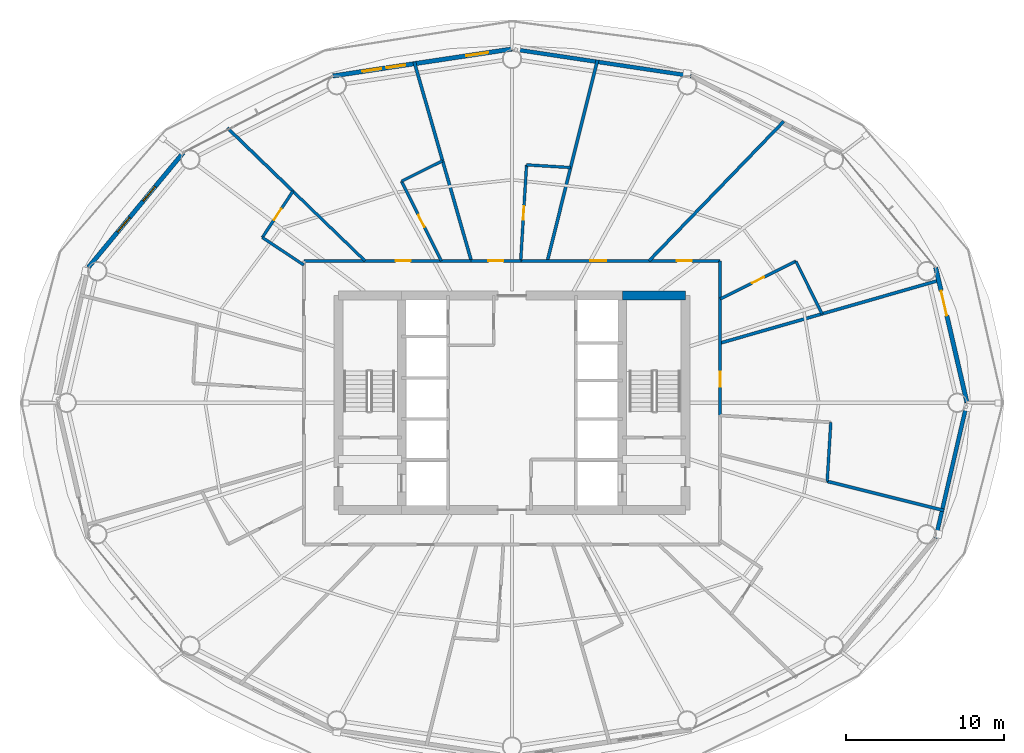
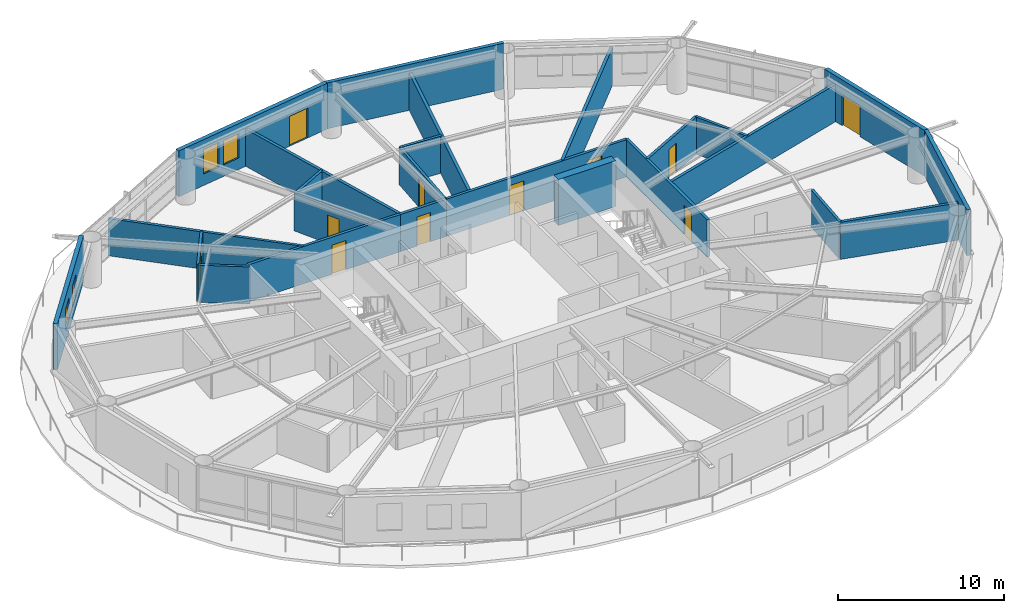
# One storey, part 20 of 24: 26 walls, 11 doors, 4 windows, 15 openings.
"""IFC4 building model written with IfcOpenShell, lengths in metres."""

import ifcopenshell
import ifcopenshell.guid

model = None  # the IFC model being written
_history = None  # IfcOwnerHistory: only IFC2X3 demands one
_inside = {}  # id of a spatial element -> (the spatial element, [elements in it])
_under = {}  # id of a project, library or spatial element -> (it, [spatial elements below it])
_declared = {}  # id of a project -> (the project, [libraries it declares])
_typed = {}  # id of a type object -> (the type object, [elements of that type])
_made_of = {}  # id of a material, layer set ... -> (it, [elements and type objects made of it])


def new_model(schema):
    """Start an empty IFC model of exactly this schema.

    Asked for "IFC4X3", IfcOpenShell would pick the latest addendum, in which some entities
    have other attributes; the version numbers below select the first issue.
    IFC2X3 requires an IfcOwnerHistory on every rooted entity: one is made here for all.
    """
    global model, _history
    if schema == "IFC4X3":
        model = ifcopenshell.file(schema_version=(4, 3, 0, 0))
    else:
        model = ifcopenshell.file(schema=schema)
    _inside.clear()
    _under.clear()
    _declared.clear()
    _typed.clear()
    _made_of.clear()
    _history = None
    if model.schema == "IFC2X3":
        org = make("IfcOrganization", Name="unknown")
        user = make(
            "IfcPersonAndOrganization",
            ThePerson=make("IfcPerson", FamilyName="unknown"),
            TheOrganization=org,
        )
        app = make(
            "IfcApplication",
            ApplicationDeveloper=org,
            Version="unknown",
            ApplicationFullName="unknown",
            ApplicationIdentifier="unknown",
        )
        _history = make(
            "IfcOwnerHistory",
            OwningUser=user,
            OwningApplication=app,
            ChangeAction="ADDED",
            CreationDate=0,
        )
    return model


def make(cls, **values):
    """One entity of the class cls with the attributes given. An attribute that is None is left unset."""
    return model.create_entity(
        cls, **{name: value for name, value in values.items() if value is not None}
    )


def rooted(cls, **values):
    """An entity with a GlobalId (a new one), such as an element, a storey or a relation."""
    return make(cls, GlobalId=ifcopenshell.guid.new(), OwnerHistory=_history, **values)


def si_unit(unit_type, name, prefix=None):
    """IfcSIUnit, for example si_unit("LENGTHUNIT", "METRE", prefix="MILLI")."""
    return make("IfcSIUnit", UnitType=unit_type, Prefix=prefix, Name=name)


def assignment(units):
    """IfcUnitAssignment: the units of a project."""
    return None if units is None else make("IfcUnitAssignment", Units=units)


def point(xyz):
    """IfcCartesianPoint."""
    return None if xyz is None else make("IfcCartesianPoint", Coordinates=xyz)


def direction(xyz):
    """IfcDirection."""
    return None if xyz is None else make("IfcDirection", DirectionRatios=xyz)


def frame(location, z_axis=None, x_axis=None):
    """IfcAxis2Placement3D, a coordinate frame: its origin and axes. An axis left out is left unset."""
    return make(
        "IfcAxis2Placement3D",
        Location=point(location),
        Axis=direction(z_axis),
        RefDirection=direction(x_axis),
    )


def frame_2d(location, x_axis=None):
    """IfcAxis2Placement2D, a coordinate frame in the plane: its origin and x axis."""
    return make(
        "IfcAxis2Placement2D", Location=point(location), RefDirection=direction(x_axis)
    )


def origin():
    """The frame at (0, 0, 0) with its axes left unset."""
    return frame((0.0, 0.0, 0.0))


def place(relative_to, where):
    """IfcLocalPlacement: puts the frame where relative to a parent placement (None: the world)."""
    return make(
        "IfcLocalPlacement", PlacementRelTo=relative_to, RelativePlacement=where
    )


def context(
    kind, dimensions, precision=None, world=None, true_north=None, identifier=None
):
    """IfcGeometricRepresentationContext, for example the 3D "Model" context."""
    return make(
        "IfcGeometricRepresentationContext",
        ContextIdentifier=identifier,
        ContextType=kind,
        CoordinateSpaceDimension=dimensions,
        Precision=precision,
        WorldCoordinateSystem=world,
        TrueNorth=true_north,
    )


def subcontext(parent, identifier, kind, view, scale=None):
    """IfcGeometricRepresentationSubContext, for example "Body" below "Model"."""
    return make(
        "IfcGeometricRepresentationSubContext",
        ContextIdentifier=identifier,
        ContextType=kind,
        ParentContext=parent,
        TargetScale=scale,
        TargetView=view,
    )


def project(units=None, contexts=None):
    """IfcProject with its units and contexts."""
    return rooted(
        "IfcProject",
        Name="project",
        RepresentationContexts=contexts,
        UnitsInContext=assignment(units),
    )


def spatial(cls, under=None, at=None, **own):
    """A site, building, storey or space (cls), placed at a placement, below another one or the project."""
    s = rooted(cls, ObjectPlacement=at, **own)
    if under is not None:
        _under.setdefault(under.id(), (under, []))[1].append(s)
    return s


def profile(cls, at=None, kind="AREA", **sizes):
    """A parametric profile (cls). Its sizes go by their IFC names, for example OverallWidth=200.0."""
    return make(cls, ProfileType=kind, Position=at, **sizes)


def rectangle(**sizes):
    """IfcRectangleProfileDef."""
    return profile("IfcRectangleProfileDef", **sizes)


def extrude(swept, where, along, depth):
    """IfcExtrudedAreaSolid: the profile swept, set in the frame where, extruded along a direction by depth."""
    return make(
        "IfcExtrudedAreaSolid",
        SweptArea=swept,
        Position=where,
        ExtrudedDirection=direction(along),
        Depth=depth,
    )


def shape(context_of_items, identifier, shape_type, items):
    """IfcShapeRepresentation: the items that make up one representation, for example the "Body"."""
    return make(
        "IfcShapeRepresentation",
        ContextOfItems=context_of_items,
        RepresentationIdentifier=identifier,
        RepresentationType=shape_type,
        Items=items,
    )


def material(Name=None, Category=None):
    """IfcMaterial."""
    return make("IfcMaterial", Name=Name, Category=Category)


def layer(
    of_material, thickness, ventilated=None, Name=None, Category=None, Priority=None
):
    """IfcMaterialLayer: one layer of a wall or slab, of a material (None: an air gap)."""
    return make(
        "IfcMaterialLayer",
        Material=of_material,
        LayerThickness=thickness,
        IsVentilated=ventilated,
        Name=Name,
        Category=Category,
        Priority=Priority,
    )


def layer_set(layers, Name=None):
    """IfcMaterialLayerSet."""
    return make("IfcMaterialLayerSet", MaterialLayers=layers, LayerSetName=Name)


def made_of(thing, what):
    """Note that an element or type object is made of a material, layer set ...; save() writes the relation."""
    if what is not None:
        _made_of.setdefault(what.id(), (what, []))[1].append(thing)
    return thing


def type_object(cls, material=None, **own):
    """A type object (cls), such as IfcWallType, which elements share."""
    return made_of(rooted(cls, **own), material)


def element(
    cls,
    number,
    at=None,
    inside=None,
    cuts=None,
    type_object=None,
    material=None,
    context=None,
    identifier="Body",
    shape_type=None,
    held_by="IfcProductDefinitionShape",
    body=None,
    shapes=None,
    **own,
):
    """One element of the class cls, such as IfcWall. Its Tag is "e" and its number.

    at: its placement. inside: the storey or other place that contains it. cuts: it is an
    opening in that element (IfcRelVoidsElement). A single representation is given by context,
    identifier, shape_type and body (its items); several are given by shapes. held_by: the class
    of the entity that holds the representations. save() writes the other relations.
    """
    e = rooted(cls, Tag="e%d" % number, ObjectPlacement=at, **own)
    if body is not None:
        shapes = [shape(context, identifier, shape_type, body)]
    if shapes is not None:
        e.Representation = make(held_by, Representations=shapes)
    if inside is not None:
        _inside.setdefault(inside.id(), (inside, []))[1].append(e)
    if cuts is not None:
        rooted(
            "IfcRelVoidsElement", RelatingBuildingElement=cuts, RelatedOpeningElement=e
        )
    if type_object is not None:
        _typed.setdefault(type_object.id(), (type_object, []))[1].append(e)
    return made_of(e, material)


def fill(opening, filler):
    """IfcRelFillsElement: the door or window that sits in an opening."""
    return rooted(
        "IfcRelFillsElement",
        RelatingOpeningElement=opening,
        RelatedBuildingElement=filler,
    )


def aggregate(whole, parts):
    """IfcRelAggregates: a whole, such as a stair, and the parts it consists of."""
    return rooted("IfcRelAggregates", RelatingObject=whole, RelatedObjects=parts)


def save(model, path):
    """Write the relations noted so far, then the file.

    IfcRelAggregates (storeys below a building ...), IfcRelContainedInSpatialStructure (elements
    in a storey), IfcRelDefinesByType, IfcRelAssociatesMaterial and IfcRelDeclares: one each for
    every whole, place, type object, material and project.
    """
    for whole, parts in _under.values():
        aggregate(whole, parts)
    for where, things in _inside.values():
        rooted(
            "IfcRelContainedInSpatialStructure",
            RelatedElements=things,
            RelatingStructure=where,
        )
    for kind, things in _typed.values():
        rooted("IfcRelDefinesByType", RelatedObjects=things, RelatingType=kind)
    for what, things in _made_of.values():
        rooted("IfcRelAssociatesMaterial", RelatedObjects=things, RelatingMaterial=what)
    for by, libraries in _declared.values():
        rooted("IfcRelDeclares", RelatingContext=by, RelatedDefinitions=libraries)
    model.write(path)


model = new_model("IFC4")

# Units and contexts
model_context = context("Model", 3, precision=1e-05, world=origin(), true_north=direction((0.0, 1.0)))
body_context = subcontext(model_context, "Body", "Model", "MODEL_VIEW")
ifc_project = project(units=[si_unit("LENGTHUNIT", "METRE"), si_unit("AREAUNIT", "SQUARE_METRE"), si_unit("VOLUMEUNIT", "CUBIC_METRE"), si_unit("PLANEANGLEUNIT", "RADIAN"), si_unit("MASSUNIT", "GRAM", prefix="KILO")], contexts=[model_context])

# Site, building, storey
site_placement = place(None, origin())
site = spatial("IfcSite", under=ifc_project, at=site_placement, CompositionType="ELEMENT")
building_placement = place(site_placement, origin())
building = spatial("IfcBuilding", under=site, at=building_placement, Name="Sarneth Arch Tower", CompositionType="ELEMENT")
storey_placement = place(building_placement, frame((0.0, 0.0, 98.39990234375)))
storey = spatial("IfcBuildingStorey", under=building, at=storey_placement, Name="L24", CompositionType="ELEMENT", Elevation=98.39990234375)

# Wall
ifc_material_1 = material(Name="Concrete C60/75", Category="concrete")
ifc_layer_1 = layer(ifc_material_1, 0.550048828125)
ifc_layer_set_1 = layer_set([ifc_layer_1], Name="Concrete C60/75")
wall_type_1 = type_object("IfcWallType", Name="WALL-CORE-550", PredefinedType="SHEAR", material=ifc_layer_set_1)
wall_1_placement = place(storey_placement, frame((55.0, 48.800048828125, 0.0), z_axis=(0.0, 0.0, 1.0), x_axis=(1.0, 0.0, 0.0)))
element("IfcWall", 1, at=wall_1_placement, inside=storey, type_object=wall_type_1, Name="L24 Core shear wall N-E", PredefinedType="SHEAR", context=body_context, shape_type="SweptSolid", body=[
    extrude(rectangle(XDim=4.0, YDim=0.550048828125, at=frame_2d((2.0, 0.0))), origin(), (0.0, 0.0, 1.0), 3.380126953125),
])

# Wall, openings, doors
ifc_material_2 = material(Name="Double steel-stud corridor fire wall", Category="steel")
ifc_layer_2 = layer(ifc_material_2, 0.18994140625)
ifc_layer_set_2 = layer_set([ifc_layer_2], Name="Double steel-stud corridor fire wall")
wall_type_2 = type_object("IfcWallType", Name="WALL-CORR-190", PredefinedType="PARTITIONING", material=ifc_layer_set_2)
wall_2_placement = place(storey_placement, frame((48.518310546875, 51.0, 0.0), z_axis=(0.0, 0.0, 1.0), x_axis=(1.0, 0.0, 0.0)))
wall_2 = element("IfcWall", 2, at=wall_2_placement, inside=storey, type_object=wall_type_2, Name="L24 Interior partition W-L24-TP-004", PredefinedType="PARTITIONING", context=body_context, shape_type="SweptSolid", body=[
    extrude(rectangle(XDim=12.681640625, YDim=0.18994140625, at=frame_2d((6.3408203125, 0.0))), origin(), (0.0, 0.0, 1.0), 2.739990234375),
])
opening_1_placement = place(wall_2_placement, frame((4.455078125, 0.0, 0.0)))
opening_1 = element("IfcOpeningElement", 3, at=opening_1_placement, cuts=wall_2, Name="Opening FD-08", PredefinedType="OPENING", context=body_context, shape_type="SweptSolid", body=[
    extrude(rectangle(XDim=1.0, YDim=2.199951171875, at=frame_2d((0.5, 1.10009765625))), frame((0.0, 0.10498046875, 0.0), z_axis=(0.0, -1.0, 0.0), x_axis=(1.0, 0.0, 0.0)), (0.0, 0.0, 1.0), 0.2099609375),
])
opening_2_placement = place(wall_2_placement, frame((9.929931640625, 0.0, 0.0)))
opening_2 = element("IfcOpeningElement", 4, at=opening_2_placement, cuts=wall_2, Name="Opening FD-09", PredefinedType="OPENING", context=body_context, shape_type="SweptSolid", body=[
    extrude(rectangle(XDim=0.949951171875, YDim=2.14990234375, at=frame_2d((0.47509765625, 1.074951171875))), frame((0.0, 0.10498046875, 0.0), z_axis=(0.0, -1.0, 0.0), x_axis=(1.0, 0.0, 0.0)), (0.0, 0.0, 1.0), 0.2099609375),
])
ifc_material_3 = material(Name="Hardwood timber acoustic fire door", Category="wood")
door_type_1 = type_object("IfcDoorType", Name="DR-FD60-1000", OperationType="SINGLE_SWING_LEFT", PredefinedType="DOOR", material=ifc_material_3)
door_1_placement = place(opening_1_placement, origin())
door_1 = element("IfcDoor", 5, at=door_1_placement, inside=storey, type_object=door_type_1, Name="L24 Interior door DR-L24-AMN-02", OperationType="SINGLE_SWING_RIGHT", OverallHeight=2.199951171875, OverallWidth=1.0, PredefinedType="DOOR", context=body_context, shape_type="SweptSolid", body=[
    extrude(rectangle(XDim=1.0, YDim=2.199951171875, at=frame_2d((0.5, 1.10009765625))), frame((0.0, 0.02490234375, 0.0), z_axis=(0.0, -1.0, 0.0), x_axis=(1.0, 0.0, 0.0)), (0.0, 0.0, 1.0), 0.050048828125),
])
fill(opening_1, door_1)
ifc_material_4 = material(Name="Hardwood timber hotel entrance fire door", Category="wood")
door_type_2 = type_object("IfcDoorType", Name="DR-FD60-950", OperationType="SINGLE_SWING_RIGHT", PredefinedType="DOOR", material=ifc_material_4)
door_2_placement = place(opening_2_placement, origin())
door_2 = element("IfcDoor", 6, at=door_2_placement, inside=storey, type_object=door_type_2, Name="L24 Interior door DR-L24-KEY-01", OperationType="SINGLE_SWING_LEFT", OverallHeight=2.14990234375, OverallWidth=0.949951171875, PredefinedType="DOOR", context=body_context, shape_type="SweptSolid", body=[
    extrude(rectangle(XDim=0.949951171875, YDim=2.14990234375, at=frame_2d((0.47509765625, 1.074951171875))), frame((0.0, 0.02490234375, 0.0), z_axis=(0.0, -1.0, 0.0), x_axis=(1.0, 0.0, 0.0)), (0.0, 0.0, 1.0), 0.050048828125),
])
fill(opening_2, door_2)

# Wall, opening, door
wall_3_placement = place(storey_placement, frame((34.800048828125, 51.0, 0.0), z_axis=(0.0, 0.0, 1.0), x_axis=(1.0, 0.0, 0.0)))
wall_3 = element("IfcWall", 7, at=wall_3_placement, inside=storey, type_object=wall_type_2, Name="L24 Interior partition W-L24-TP-007", PredefinedType="PARTITIONING", context=body_context, shape_type="SweptSolid", body=[
    extrude(rectangle(XDim=10.652587890625, YDim=0.18994140625, at=frame_2d((5.326171875, 0.0))), origin(), (0.0, 0.0, 1.0), 2.739990234375),
])
opening_3_placement = place(wall_3_placement, frame((5.81640625, 0.0, 0.0)))
opening_3 = element("IfcOpeningElement", 8, at=opening_3_placement, cuts=wall_3, Name="Opening FD-09", PredefinedType="OPENING", context=body_context, shape_type="SweptSolid", body=[
    extrude(rectangle(XDim=0.949951171875, YDim=2.14990234375, at=frame_2d((0.47509765625, 1.074951171875))), frame((0.0, 0.10498046875, 0.0), z_axis=(0.0, -1.0, 0.0), x_axis=(1.0, 0.0, 0.0)), (0.0, 0.0, 1.0), 0.2099609375),
])
door_3_placement = place(opening_3_placement, origin())
door_3 = element("IfcDoor", 9, at=door_3_placement, inside=storey, type_object=door_type_2, Name="L24 Interior door DR-L24-KEY-04", OperationType="SINGLE_SWING_LEFT", OverallHeight=2.14990234375, OverallWidth=0.949951171875, PredefinedType="DOOR", context=body_context, shape_type="SweptSolid", body=[
    extrude(rectangle(XDim=0.949951171875, YDim=2.14990234375, at=frame_2d((0.47509765625, 1.074951171875))), frame((0.0, 0.02490234375, 0.0), z_axis=(0.0, -1.0, 0.0), x_axis=(1.0, 0.0, 0.0)), (0.0, 0.0, 1.0), 0.050048828125),
])
fill(opening_3, door_3)

wall_4_placement = place(storey_placement, frame((61.199951171875, 51.0, 0.0), z_axis=(0.0, 0.0, 1.0), x_axis=(0.0, -1.0, 0.0)))
wall_4 = element("IfcWall", 10, at=wall_4_placement, inside=storey, type_object=wall_type_2, Name="L24 Interior partition W-L24-TP-025", PredefinedType="PARTITIONING", context=body_context, shape_type="SweptSolid", body=[
    extrude(rectangle(XDim=9.83935546875, YDim=0.18994140625, at=frame_2d((4.919677734375, 0.0))), origin(), (0.0, 0.0, 1.0), 2.739990234375),
])
opening_4_placement = place(wall_4_placement, frame((7.035400390625, 0.0, 0.0)))
opening_4 = element("IfcOpeningElement", 11, at=opening_4_placement, cuts=wall_4, Name="Opening FD-09", PredefinedType="OPENING", context=body_context, shape_type="SweptSolid", body=[
    extrude(rectangle(XDim=0.949951171875, YDim=2.14990234375, at=frame_2d((0.47509765625, 1.074951171875))), frame((0.0, 0.10498046875, 0.0), z_axis=(0.0, -1.0, 0.0), x_axis=(1.0, 0.0, 0.0)), (0.0, 0.0, 1.0), 0.2099609375),
])
door_4_placement = place(opening_4_placement, origin())
door_4 = element("IfcDoor", 12, at=door_4_placement, inside=storey, type_object=door_type_2, Name="L24 Interior door DR-L24-KEY-12", OperationType="SINGLE_SWING_LEFT", OverallHeight=2.14990234375, OverallWidth=0.949951171875, PredefinedType="DOOR", context=body_context, shape_type="SweptSolid", body=[
    extrude(rectangle(XDim=0.949951171875, YDim=2.14990234375, at=frame_2d((0.47509765625, 1.074951171875))), frame((0.0, 0.02490234375, 0.0), z_axis=(0.0, -1.0, 0.0), x_axis=(1.0, 0.0, 0.0)), (0.0, 0.0, 1.0), 0.050048828125),
])
fill(opening_4, door_4)

wall_5_placement = place(storey_placement, frame((45.385986328125, 51.0, 0.0), z_axis=(0.0, 0.0, 1.0), x_axis=(1.0, 0.0, 0.0)))
wall_5 = element("IfcWall", 13, at=wall_5_placement, inside=storey, type_object=wall_type_2, Name="L24 Interior partition W-L24-TP-005", PredefinedType="PARTITIONING", context=body_context, shape_type="SweptSolid", body=[
    extrude(rectangle(XDim=3.196533203125, YDim=0.18994140625, at=frame_2d((1.59814453125, 0.0))), origin(), (0.0, 0.0, 1.0), 2.739990234375),
])
opening_5_placement = place(wall_5_placement, frame((1.123291015625, 0.0, 0.0)))
opening_5 = element("IfcOpeningElement", 14, at=opening_5_placement, cuts=wall_5, Name="Opening FD-09", PredefinedType="OPENING", context=body_context, shape_type="SweptSolid", body=[
    extrude(rectangle(XDim=0.949951171875, YDim=2.14990234375, at=frame_2d((0.47509765625, 1.074951171875))), frame((0.0, 0.10498046875, 0.0), z_axis=(0.0, -1.0, 0.0), x_axis=(1.0, 0.0, 0.0)), (0.0, 0.0, 1.0), 0.2099609375),
])
door_5_placement = place(opening_5_placement, origin())
door_5 = element("IfcDoor", 15, at=door_5_placement, inside=storey, type_object=door_type_2, Name="L24 Interior door DR-L24-KEY-03", OperationType="SINGLE_SWING_LEFT", OverallHeight=2.14990234375, OverallWidth=0.949951171875, PredefinedType="DOOR", context=body_context, shape_type="SweptSolid", body=[
    extrude(rectangle(XDim=0.949951171875, YDim=2.14990234375, at=frame_2d((0.47509765625, 1.074951171875))), frame((0.0, 0.02490234375, 0.0), z_axis=(0.0, -1.0, 0.0), x_axis=(1.0, 0.0, 0.0)), (0.0, 0.0, 1.0), 0.050048828125),
])
fill(opening_5, door_5)

# Walls
ifc_material_5 = material(Name="Extruded terracotta rainscreen on Concrete C40/50 backing", Category="masonry")
ifc_layer_3 = layer(ifc_material_5, 0.25)
ifc_layer_set_3 = layer_set([ifc_layer_3], Name="Extruded terracotta rainscreen on Concrete C40/50 backing")
wall_type_3 = type_object("IfcWallType", Name="WALL-EXT-SPAND-250", PredefinedType="SOLIDWALL", material=ifc_layer_set_3)
wall_6_placement = place(storey_placement, frame((59.351318359375, 62.72265625, 0.0), z_axis=(0.0, 0.0, 1.0), x_axis=(-0.988877774656, 0.148730450117, 0.0)))
element("IfcWall", 16, at=wall_6_placement, inside=storey, type_object=wall_type_3, Name="L24 Terracotta perimeter wall 04", PredefinedType="SOLIDWALL", context=body_context, shape_type="SweptSolid", body=[
    extrude(rectangle(XDim=11.47900390625, YDim=0.25, at=frame_2d((5.739501953125, 0.0))), origin(), (0.0, 0.0, 1.0), 3.380126953125),
])
wall_7_placement = place(storey_placement, frame((74.861328125, 33.41650390625, 0.0), z_axis=(0.0, 0.0, 1.0), x_axis=(0.22558597182, 0.974223264616, 0.0)))
element("IfcWall", 17, at=wall_7_placement, inside=storey, type_object=wall_type_3, Name="L24 Terracotta perimeter wall 16", PredefinedType="SOLIDWALL", context=body_context, shape_type="SweptSolid", body=[
    extrude(rectangle(XDim=8.810546875, YDim=0.25, at=frame_2d((4.4052734375, 0.0))), origin(), (0.0, 0.0, 1.0), 3.380126953125),
])

# Wall, opening, door
ifc_material_6 = material(Name="Extruded terracotta rainscreen on Concrete C40/50 backing", Category="masonry")
ifc_layer_4 = layer(ifc_material_6, 0.280029296875)
ifc_layer_set_4 = layer_set([ifc_layer_4], Name="Extruded terracotta rainscreen on Concrete C40/50 backing")
wall_type_4 = type_object("IfcWallType", Name="WALL-EXT-TERRA-280", PredefinedType="SOLIDWALL", material=ifc_layer_set_4)
wall_8_placement = place(storey_placement, frame((76.848876953125, 42.0, 0.0), z_axis=(0.0, 0.0, 1.0), x_axis=(-0.22558597182, 0.974223264616, 0.0)))
wall_8 = element("IfcWall", 18, at=wall_8_placement, inside=storey, type_object=wall_type_4, Name="L24 Terracotta perimeter wall 01", PredefinedType="SOLIDWALL", context=body_context, shape_type="SweptSolid", body=[
    extrude(rectangle(XDim=8.810546875, YDim=0.280029296875, at=frame_2d((4.4052734375, 0.0))), origin(), (0.0, 0.0, 1.0), 3.380126953125),
])
opening_6_placement = place(wall_8_placement, frame((5.674560546875, 0.0, 0.0)))
opening_6 = element("IfcOpeningElement", 19, at=opening_6_placement, cuts=wall_8, Name="Opening BD-1", PredefinedType="OPENING", context=body_context, shape_type="SweptSolid", body=[
    extrude(rectangle(XDim=1.60009765625, YDim=2.25, at=frame_2d((0.800048828125, 1.125))), frame((0.0, 0.14990234375, 0.0), z_axis=(0.0, -1.0, 0.0), x_axis=(1.0, 0.0, 0.0)), (0.0, 0.0, 1.0), 0.300048828125),
])
ifc_material_7 = material(Name="Thermally broken Aluminium 6063-T6 and laminated safety glass", Category="aluminium")
door_type_3 = type_object("IfcDoorType", Name="DR-BALC-GLZ-1600", OperationType="DOUBLE_DOOR_SINGLE_SWING", PredefinedType="DOOR", material=ifc_material_7)
door_6_placement = place(opening_6_placement, origin())
door_6 = element("IfcDoor", 20, at=door_6_placement, inside=storey, type_object=door_type_3, Name="L24 Balcony glazed door 01", OperationType="DOUBLE_DOOR_SINGLE_SWING", OverallHeight=2.25, OverallWidth=1.60009765625, PredefinedType="DOOR", context=body_context, shape_type="SweptSolid", body=[
    extrude(rectangle(XDim=1.60009765625, YDim=2.25, at=frame_2d((0.800048828125, 1.125))), frame((0.0, 0.02490234375, 0.0), z_axis=(0.0, -1.0, 0.0), x_axis=(1.0, 0.0, 0.0)), (0.0, 0.0, 1.0), 0.050048828125),
])
fill(opening_6, door_6)

# Wall, openings, door, windows
wall_9_placement = place(storey_placement, frame((48.0, 64.429931640625, 0.0), z_axis=(0.0, 0.0, 1.0), x_axis=(-0.988877774656, -0.148730450117, 0.0)))
wall_9 = element("IfcWall", 21, at=wall_9_placement, inside=storey, type_object=wall_type_4, Name="L24 Terracotta perimeter wall 05", PredefinedType="SOLIDWALL", context=body_context, shape_type="SweptSolid", body=[
    extrude(rectangle(XDim=11.47900390625, YDim=0.280029296875, at=frame_2d((5.739501953125, 0.0))), origin(), (0.0, 0.0, 1.0), 3.380126953125),
])
opening_7_placement = place(wall_9_placement, frame((1.523681640625, 0.0, 0.0)))
opening_7 = element("IfcOpeningElement", 22, at=opening_7_placement, cuts=wall_9, Name="Opening BD-2", PredefinedType="OPENING", context=body_context, shape_type="SweptSolid", body=[
    extrude(rectangle(XDim=1.39990234375, YDim=2.199951171875, at=frame_2d((0.699951171875, 1.10009765625))), frame((0.0, 0.14990234375, 0.0), z_axis=(0.0, -1.0, 0.0), x_axis=(1.0, 0.0, 0.0)), (0.0, 0.0, 1.0), 0.300048828125),
])
opening_8_placement = place(wall_9_placement, frame((6.843017578125, 0.0, 0.85009765625)))
opening_8 = element("IfcOpeningElement", 23, at=opening_8_placement, cuts=wall_9, Name="Opening W-09", PredefinedType="OPENING", context=body_context, shape_type="SweptSolid", body=[
    extrude(rectangle(XDim=1.199951171875, YDim=1.800048828125, at=frame_2d((0.60009765625, 0.89990234375))), frame((0.0, 0.14990234375, 0.0), z_axis=(0.0, -1.0, 0.0), x_axis=(1.0, 0.0, 0.0)), (0.0, 0.0, 1.0), 0.300048828125),
])
opening_9_placement = place(wall_9_placement, frame((8.385009765625, 0.0, 0.85009765625)))
opening_9 = element("IfcOpeningElement", 24, at=opening_9_placement, cuts=wall_9, Name="Opening W-09", PredefinedType="OPENING", context=body_context, shape_type="SweptSolid", body=[
    extrude(rectangle(XDim=1.199951171875, YDim=1.800048828125, at=frame_2d((0.60009765625, 0.89990234375))), frame((0.0, 0.14990234375, 0.0), z_axis=(0.0, -1.0, 0.0), x_axis=(1.0, 0.0, 0.0)), (0.0, 0.0, 1.0), 0.300048828125),
])
ifc_material_8 = material(Name="Thermally broken Aluminium 6063-T6 and laminated safety glass", Category="aluminium")
door_type_4 = type_object("IfcDoorType", Name="DR-BALC-GLZ-1400", OperationType="SINGLE_SWING_LEFT", PredefinedType="DOOR", material=ifc_material_8)
door_7_placement = place(opening_7_placement, origin())
door_7 = element("IfcDoor", 25, at=door_7_placement, inside=storey, type_object=door_type_4, Name="L24 Balcony glazed door 05", OperationType="SINGLE_SWING_LEFT", OverallHeight=2.199951171875, OverallWidth=1.39990234375, PredefinedType="DOOR", context=body_context, shape_type="SweptSolid", body=[
    extrude(rectangle(XDim=1.39990234375, YDim=2.199951171875, at=frame_2d((0.699951171875, 1.10009765625))), frame((0.0, 0.02490234375, 0.0), z_axis=(0.0, -1.0, 0.0), x_axis=(1.0, 0.0, 0.0)), (0.0, 0.0, 1.0), 0.050048828125),
])
fill(opening_7, door_7)
ifc_material_9 = material(Name="Thermally broken Aluminium 6063-T6 and low-e laminated IGU", Category="aluminium")
window_type_1 = type_object("IfcWindowType", Name="WIN-TWR-1200x1800", PartitioningType="SINGLE_PANEL", PredefinedType="WINDOW", material=ifc_material_9)
window_1_placement = place(opening_8_placement, origin())
window_1 = element("IfcWindow", 26, at=window_1_placement, inside=storey, type_object=window_type_1, Name="L24 Exterior window 05A", OverallHeight=1.800048828125, OverallWidth=1.199951171875, PartitioningType="SINGLE_PANEL", PredefinedType="WINDOW", context=body_context, shape_type="SweptSolid", body=[
    extrude(rectangle(XDim=1.199951171875, YDim=1.800048828125, at=frame_2d((0.60009765625, 0.89990234375))), frame((0.0, 0.030029296875, 0.0), z_axis=(0.0, -1.0, 0.0), x_axis=(1.0, 0.0, 0.0)), (0.0, 0.0, 1.0), 0.06005859375),
])
fill(opening_8, window_1)
window_2_placement = place(opening_9_placement, origin())
window_2 = element("IfcWindow", 27, at=window_2_placement, inside=storey, type_object=window_type_1, Name="L24 Exterior window 05B", OverallHeight=1.800048828125, OverallWidth=1.199951171875, PartitioningType="SINGLE_PANEL", PredefinedType="WINDOW", context=body_context, shape_type="SweptSolid", body=[
    extrude(rectangle(XDim=1.199951171875, YDim=1.800048828125, at=frame_2d((0.60009765625, 0.89990234375))), frame((0.0, 0.030029296875, 0.0), z_axis=(0.0, -1.0, 0.0), x_axis=(1.0, 0.0, 0.0)), (0.0, 0.0, 1.0), 0.06005859375),
])
fill(opening_9, window_2)

# Wall, openings, windows
wall_10_placement = place(storey_placement, frame((27.159912109375, 57.8603515625, 0.0), z_axis=(0.0, 0.0, 1.0), x_axis=(-0.637505817448, -0.770445541696, 0.0)))
wall_10 = element("IfcWall", 28, at=wall_10_placement, inside=storey, type_object=wall_type_4, Name="L24 Terracotta perimeter wall 07", PredefinedType="SOLIDWALL", context=body_context, shape_type="SweptSolid", body=[
    extrude(rectangle(XDim=9.445068359375, YDim=0.280029296875, at=frame_2d((4.72265625, 0.0))), origin(), (0.0, 0.0, 1.0), 3.380126953125),
])
opening_10_placement = place(wall_10_placement, frame((2.796630859375, 0.0, 0.85009765625)))
opening_10 = element("IfcOpeningElement", 29, at=opening_10_placement, cuts=wall_10, Name="Opening W-10", PredefinedType="OPENING", context=body_context, shape_type="SweptSolid", body=[
    extrude(rectangle(XDim=1.199951171875, YDim=1.60009765625, at=frame_2d((0.60009765625, 0.800048828125))), frame((0.0, 0.14990234375, 0.0), z_axis=(0.0, -1.0, 0.0), x_axis=(1.0, 0.0, 0.0)), (0.0, 0.0, 1.0), 0.300048828125),
])
opening_11_placement = place(wall_10_placement, frame((5.331787109375, 0.0, 0.85009765625)))
opening_11 = element("IfcOpeningElement", 30, at=opening_11_placement, cuts=wall_10, Name="Opening W-10", PredefinedType="OPENING", context=body_context, shape_type="SweptSolid", body=[
    extrude(rectangle(XDim=1.199951171875, YDim=1.60009765625, at=frame_2d((0.60009765625, 0.800048828125))), frame((0.0, 0.14990234375, 0.0), z_axis=(0.0, -1.0, 0.0), x_axis=(1.0, 0.0, 0.0)), (0.0, 0.0, 1.0), 0.300048828125),
])
ifc_material_10 = material(Name="Thermally broken Aluminium 6063-T6 and low-e laminated IGU", Category="aluminium")
window_type_2 = type_object("IfcWindowType", Name="WIN-TWR-1200x1600", PartitioningType="SINGLE_PANEL", PredefinedType="WINDOW", material=ifc_material_10)
window_3_placement = place(opening_10_placement, origin())
window_3 = element("IfcWindow", 31, at=window_3_placement, inside=storey, type_object=window_type_2, Name="L24 Exterior window 07A", OverallHeight=1.60009765625, OverallWidth=1.199951171875, PartitioningType="SINGLE_PANEL", PredefinedType="WINDOW", context=body_context, shape_type="SweptSolid", body=[
    extrude(rectangle(XDim=1.199951171875, YDim=1.60009765625, at=frame_2d((0.60009765625, 0.800048828125))), frame((0.0, 0.030029296875, 0.0), z_axis=(0.0, -1.0, 0.0), x_axis=(1.0, 0.0, 0.0)), (0.0, 0.0, 1.0), 0.06005859375),
])
fill(opening_10, window_3)
window_4_placement = place(opening_11_placement, origin())
window_4 = element("IfcWindow", 32, at=window_4_placement, inside=storey, type_object=window_type_2, Name="L24 Exterior window 07B", OverallHeight=1.60009765625, OverallWidth=1.199951171875, PartitioningType="SINGLE_PANEL", PredefinedType="WINDOW", context=body_context, shape_type="SweptSolid", body=[
    extrude(rectangle(XDim=1.199951171875, YDim=1.60009765625, at=frame_2d((0.60009765625, 0.800048828125))), frame((0.0, 0.030029296875, 0.0), z_axis=(0.0, -1.0, 0.0), x_axis=(1.0, 0.0, 0.0)), (0.0, 0.0, 1.0), 0.06005859375),
])
fill(opening_11, window_4)

# Wall
ifc_material_11 = material(Name="Moisture-resistant plumbing chase wall", Category="gypsum")
ifc_layer_5 = layer(ifc_material_11, 0.179931640625)
ifc_layer_set_5 = layer_set([ifc_layer_5], Name="Moisture-resistant plumbing chase wall")
wall_type_5 = type_object("IfcWallType", Name="WALL-PLUMB-180", PredefinedType="PLUMBINGWALL", material=ifc_layer_set_5)
wall_11_placement = place(storey_placement, frame((34.111083984375, 55.41259765625, 0.0), z_axis=(0.0, 0.0, 1.0), x_axis=(0.719318009274, -0.694680935059, 0.0)))
element("IfcWall", 33, at=wall_11_placement, inside=storey, type_object=wall_type_5, Name="L24 Interior partition W-L24-TP-041", PredefinedType="PLUMBINGWALL", context=body_context, shape_type="SweptSolid", body=[
    extrude(rectangle(XDim=6.35205078125, YDim=0.179931640625, at=frame_2d((3.176025390625, 0.0))), origin(), (0.0, 0.0, 1.0), 2.739990234375),
])

# Wall, opening, door
wall_12_placement = place(storey_placement, frame((48.922607421875, 57.083740234375, 0.0), z_axis=(0.0, 0.0, 1.0), x_axis=(-0.061044096749, -0.998135070144, 0.0)))
wall_12 = element("IfcWall", 34, at=wall_12_placement, inside=storey, type_object=wall_type_5, Name="L24 Interior partition W-L24-TP-035", PredefinedType="PLUMBINGWALL", context=body_context, shape_type="SweptSolid", body=[
    extrude(rectangle(XDim=6.09521484375, YDim=0.179931640625, at=frame_2d((3.047607421875, 0.0))), origin(), (0.0, 0.0, 1.0), 2.739990234375),
])
opening_12_placement = place(wall_12_placement, frame((2.62255859375, 0.0, 0.0)))
opening_12 = element("IfcOpeningElement", 35, at=opening_12_placement, cuts=wall_12, Name="Opening ID-02", PredefinedType="OPENING", context=body_context, shape_type="SweptSolid", body=[
    extrude(rectangle(XDim=0.85009765625, YDim=2.10009765625, at=frame_2d((0.425048828125, 1.050048828125))), frame((0.0, 0.099853515625, 0.0), z_axis=(0.0, -1.0, 0.0), x_axis=(1.0, 0.0, 0.0)), (0.0, 0.0, 1.0), 0.199951171875),
])
ifc_material_12 = material(Name="Moisture-resistant bathroom timber door", Category="wood")
door_type_5 = type_object("IfcDoorType", Name="DR-INT-850", OperationType="SINGLE_SWING_RIGHT", PredefinedType="DOOR", material=ifc_material_12)
door_8_placement = place(opening_12_placement, origin())
door_8 = element("IfcDoor", 36, at=door_8_placement, inside=storey, type_object=door_type_5, Name="L24 Interior door DR-L24-ENS-03", OperationType="SINGLE_SWING_RIGHT", OverallHeight=2.10009765625, OverallWidth=0.85009765625, PredefinedType="DOOR", context=body_context, shape_type="SweptSolid", body=[
    extrude(rectangle(XDim=0.85009765625, YDim=2.10009765625, at=frame_2d((0.425048828125, 1.050048828125))), frame((0.0, 0.02490234375, 0.0), z_axis=(0.0, -1.0, 0.0), x_axis=(1.0, 0.0, 0.0)), (0.0, 0.0, 1.0), 0.050048828125),
])
fill(opening_12, door_8)

wall_13_placement = place(storey_placement, frame((40.99658203125, 56.046875, 0.0), z_axis=(0.0, 0.0, 1.0), x_axis=(0.446174269641, -0.894946099556, 0.0)))
wall_13 = element("IfcWall", 37, at=wall_13_placement, inside=storey, type_object=wall_type_5, Name="L24 Interior partition W-L24-TP-039", PredefinedType="PLUMBINGWALL", context=body_context, shape_type="SweptSolid", body=[
    extrude(rectangle(XDim=5.639404296875, YDim=0.179931640625, at=frame_2d((2.81982421875, 0.0))), origin(), (0.0, 0.0, 1.0), 2.739990234375),
])
opening_13_placement = place(wall_13_placement, frame((2.394775390625, 0.0, 0.0)))
opening_13 = element("IfcOpeningElement", 38, at=opening_13_placement, cuts=wall_13, Name="Opening ID-02", PredefinedType="OPENING", context=body_context, shape_type="SweptSolid", body=[
    extrude(rectangle(XDim=0.85009765625, YDim=2.10009765625, at=frame_2d((0.425048828125, 1.050048828125))), frame((0.0, 0.099853515625, 0.0), z_axis=(0.0, -1.0, 0.0), x_axis=(1.0, 0.0, 0.0)), (0.0, 0.0, 1.0), 0.199951171875),
])
door_9_placement = place(opening_13_placement, origin())
door_9 = element("IfcDoor", 39, at=door_9_placement, inside=storey, type_object=door_type_5, Name="L24 Interior door DR-L24-ENS-04", OperationType="SINGLE_SWING_RIGHT", OverallHeight=2.10009765625, OverallWidth=0.85009765625, PredefinedType="DOOR", context=body_context, shape_type="SweptSolid", body=[
    extrude(rectangle(XDim=0.85009765625, YDim=2.10009765625, at=frame_2d((0.425048828125, 1.050048828125))), frame((0.0, 0.02490234375, 0.0), z_axis=(0.0, -1.0, 0.0), x_axis=(1.0, 0.0, 0.0)), (0.0, 0.0, 1.0), 0.050048828125),
])
fill(opening_13, door_9)

wall_14_placement = place(storey_placement, frame((65.997802734375, 50.973388671875, 0.0), z_axis=(0.0, 0.0, 1.0), x_axis=(-0.894936648514, -0.446193226244, 0.0)))
wall_14 = element("IfcWall", 40, at=wall_14_placement, inside=storey, type_object=wall_type_5, Name="L24 Interior partition W-L24-TP-028", PredefinedType="PLUMBINGWALL", context=body_context, shape_type="SweptSolid", body=[
    extrude(rectangle(XDim=5.361083984375, YDim=0.179931640625, at=frame_2d((2.6806640625, 0.0))), origin(), (0.0, 0.0, 1.0), 2.739990234375),
])
opening_14_placement = place(wall_14_placement, frame((2.255615234375, 0.0, 0.0)))
opening_14 = element("IfcOpeningElement", 41, at=opening_14_placement, cuts=wall_14, Name="Opening ID-02", PredefinedType="OPENING", context=body_context, shape_type="SweptSolid", body=[
    extrude(rectangle(XDim=0.85009765625, YDim=2.10009765625, at=frame_2d((0.425048828125, 1.050048828125))), frame((0.0, 0.099853515625, 0.0), z_axis=(0.0, -1.0, 0.0), x_axis=(1.0, 0.0, 0.0)), (0.0, 0.0, 1.0), 0.199951171875),
])
door_10_placement = place(opening_14_placement, origin())
door_10 = element("IfcDoor", 42, at=door_10_placement, inside=storey, type_object=door_type_5, Name="L24 Interior door DR-L24-ENS-01", OperationType="SINGLE_SWING_LEFT", OverallHeight=2.10009765625, OverallWidth=0.85009765625, PredefinedType="DOOR", context=body_context, shape_type="SweptSolid", body=[
    extrude(rectangle(XDim=0.85009765625, YDim=2.10009765625, at=frame_2d((0.425048828125, 1.050048828125))), frame((0.0, 0.02490234375, 0.0), z_axis=(0.0, -1.0, 0.0), x_axis=(1.0, 0.0, 0.0)), (0.0, 0.0, 1.0), 0.050048828125),
])
fill(opening_14, door_10)

# Walls
wall_15_placement = place(storey_placement, frame((68.213134765625, 40.763671875, 0.0), z_axis=(0.0, 0.0, 1.0), x_axis=(-0.061013519028, -0.998136939751, 0.0)))
element("IfcWall", 43, at=wall_15_placement, inside=storey, type_object=wall_type_5, Name="L24 Interior partition W-L24-TP-068", PredefinedType="PLUMBINGWALL", context=body_context, shape_type="SweptSolid", body=[
    extrude(rectangle(XDim=3.75341796875, YDim=0.179931640625, at=frame_2d((1.876708984375, 0.0))), origin(), (0.0, 0.0, 1.0), 2.739990234375),
])
wall_16_placement = place(storey_placement, frame((67.6611328125, 47.6376953125, 0.0), z_axis=(0.0, 0.0, 1.0), x_axis=(-0.446243949247, 0.894911357488, 0.0)))
element("IfcWall", 44, at=wall_16_placement, inside=storey, type_object=wall_type_5, Name="L24 Interior partition W-L24-TP-027", PredefinedType="PLUMBINGWALL", context=body_context, shape_type="SweptSolid", body=[
    extrude(rectangle(XDim=3.727294921875, YDim=0.179931640625, at=frame_2d((1.86376953125, 0.0))), origin(), (0.0, 0.0, 1.0), 2.739990234375),
])

# Wall, opening, door
wall_17_placement = place(storey_placement, frame((32.1689453125, 52.478515625, 0.0), z_axis=(0.0, 0.0, 1.0), x_axis=(0.551959146688, 0.833871153349, 0.0)))
wall_17 = element("IfcWall", 45, at=wall_17_placement, inside=storey, type_object=wall_type_5, Name="L24 Interior partition W-L24-TP-043", PredefinedType="PLUMBINGWALL", context=body_context, shape_type="SweptSolid", body=[
    extrude(rectangle(XDim=3.5185546875, YDim=0.179931640625, at=frame_2d((1.75927734375, 0.0))), origin(), (0.0, 0.0, 1.0), 2.739990234375),
])
opening_15_placement = place(wall_17_placement, frame((1.334228515625, 0.0, 0.0)))
opening_15 = element("IfcOpeningElement", 46, at=opening_15_placement, cuts=wall_17, Name="Opening ID-02", PredefinedType="OPENING", context=body_context, shape_type="SweptSolid", body=[
    extrude(rectangle(XDim=0.85009765625, YDim=2.10009765625, at=frame_2d((0.425048828125, 1.050048828125))), frame((0.0, 0.099853515625, 0.0), z_axis=(0.0, -1.0, 0.0), x_axis=(1.0, 0.0, 0.0)), (0.0, 0.0, 1.0), 0.199951171875),
])
door_11_placement = place(opening_15_placement, origin())
door_11 = element("IfcDoor", 47, at=door_11_placement, inside=storey, type_object=door_type_5, Name="L24 Interior door DR-L24-ENS-05", OperationType="SINGLE_SWING_RIGHT", OverallHeight=2.10009765625, OverallWidth=0.85009765625, PredefinedType="DOOR", context=body_context, shape_type="SweptSolid", body=[
    extrude(rectangle(XDim=0.85009765625, YDim=2.10009765625, at=frame_2d((0.425048828125, 1.050048828125))), frame((0.0, 0.02490234375, 0.0), z_axis=(0.0, -1.0, 0.0), x_axis=(1.0, 0.0, 0.0)), (0.0, 0.0, 1.0), 0.050048828125),
])
fill(opening_15, door_11)

# Walls
wall_18_placement = place(storey_placement, frame((34.800048828125, 50.73681640625, 0.0), z_axis=(0.0, 0.0, 1.0), x_axis=(-0.833855219674, 0.5519832177, 0.0)))
element("IfcWall", 48, at=wall_18_placement, inside=storey, type_object=wall_type_5, Name="L24 Interior partition W-L24-TP-042", PredefinedType="PLUMBINGWALL", context=body_context, shape_type="SweptSolid", body=[
    extrude(rectangle(XDim=3.1552734375, YDim=0.179931640625, at=frame_2d((1.57763671875, 0.0))), origin(), (0.0, 0.0, 1.0), 2.739990234375),
])
wall_19_placement = place(storey_placement, frame((43.599853515625, 57.344970703125, 0.0), z_axis=(0.0, 0.0, 1.0), x_axis=(-0.894913437672, -0.446239777558, 0.0)))
element("IfcWall", 49, at=wall_19_placement, inside=storey, type_object=wall_type_5, Name="L24 Interior partition W-L24-TP-038", PredefinedType="PLUMBINGWALL", context=body_context, shape_type="SweptSolid", body=[
    extrude(rectangle(XDim=2.908935546875, YDim=0.179931640625, at=frame_2d((1.45458984375, 0.0))), origin(), (0.0, 0.0, 1.0), 2.739990234375),
])
wall_20_placement = place(storey_placement, frame((51.71826171875, 56.912841796875, 0.0), z_axis=(0.0, 0.0, 1.0), x_axis=(-0.998136779925, 0.061016133608, 0.0)))
element("IfcWall", 50, at=wall_20_placement, inside=storey, type_object=wall_type_5, Name="L24 Interior partition W-L24-TP-034", PredefinedType="PLUMBINGWALL", context=body_context, shape_type="SweptSolid", body=[
    extrude(rectangle(XDim=2.80078125, YDim=0.179931640625, at=frame_2d((1.400390625, 0.0))), origin(), (0.0, 0.0, 1.0), 2.739990234375),
])
ifc_material_13 = material(Name="Double steel-stud acoustic drywall", Category="steel")
ifc_layer_6 = layer(ifc_material_13, 0.199951171875)
ifc_layer_set_6 = layer_set([ifc_layer_6], Name="Double steel-stud acoustic drywall")
wall_type_6 = type_object("IfcWallType", Name="WALL-UNIT-200", PredefinedType="PARTITIONING", material=ifc_layer_set_6)
wall_21_placement = place(storey_placement, frame((65.228271484375, 59.840087890625, 0.0), z_axis=(0.0, 0.0, 1.0), x_axis=(-0.694672506389, -0.719326149161, 0.0)))
element("IfcWall", 51, at=wall_21_placement, inside=storey, type_object=wall_type_6, Name="L24 Interior partition W-L24-TP-029", PredefinedType="PARTITIONING", context=body_context, shape_type="SweptSolid", body=[
    extrude(rectangle(XDim=12.289306640625, YDim=0.199951171875, at=frame_2d((6.14453125, 0.0))), origin(), (0.0, 0.0, 1.0), 2.739990234375),
])
wall_22_placement = place(storey_placement, frame((61.199951171875, 45.784912109375, 0.0), z_axis=(0.0, 0.0, 1.0), x_axis=(0.961261030421, 0.275639676741, 0.0)))
element("IfcWall", 52, at=wall_22_placement, inside=storey, type_object=wall_type_6, Name="L24 Interior partition W-L24-TP-030", PredefinedType="PARTITIONING", context=body_context, shape_type="SweptSolid", body=[
    extrude(rectangle(XDim=14.53125, YDim=0.199951171875, at=frame_2d((7.265625, 0.0))), origin(), (0.0, 0.0, 1.0), 2.739990234375),
])
wall_23_placement = place(storey_placement, frame((75.390625, 35.1708984375, 0.0), z_axis=(0.0, 0.0, 1.0), x_axis=(-0.970302209845, 0.241895889938, 0.0)))
element("IfcWall", 53, at=wall_23_placement, inside=storey, type_object=wall_type_6, Name="L24 Interior partition W-L24-TP-065", PredefinedType="PARTITIONING", context=body_context, shape_type="SweptSolid", body=[
    extrude(rectangle(XDim=7.63330078125, YDim=0.199951171875, at=frame_2d((3.816650390625, 0.0))), origin(), (0.0, 0.0, 1.0), 2.739990234375),
])
wall_24_placement = place(storey_placement, frame((50.243896484375, 51.0, 0.0), z_axis=(0.0, 0.0, 1.0), x_axis=(0.241918476077, 0.970296578852, 0.0)))
element("IfcWall", 54, at=wall_24_placement, inside=storey, type_object=wall_type_6, Name="L24 Interior partition W-L24-TP-032", PredefinedType="PARTITIONING", context=body_context, shape_type="SweptSolid", body=[
    extrude(rectangle(XDim=13.12548828125, YDim=0.199951171875, at=frame_2d((6.562744140625, 0.0))), origin(), (0.0, 0.0, 1.0), 2.739990234375),
])
wall_25_placement = place(storey_placement, frame((45.419189453125, 51.0, 0.0), z_axis=(0.0, 0.0, 1.0), x_axis=(-0.275639731411, 0.961261014745, 0.0)))
element("IfcWall", 55, at=wall_25_placement, inside=storey, type_object=wall_type_6, Name="L24 Interior partition W-L24-TP-037", PredefinedType="PARTITIONING", context=body_context, shape_type="SweptSolid", body=[
    extrude(rectangle(XDim=13.12646484375, YDim=0.199951171875, at=frame_2d((6.563232421875, 0.0))), origin(), (0.0, 0.0, 1.0), 2.739990234375),
])
wall_26_placement = place(storey_placement, frame((29.958740234375, 59.422119140625, 0.0), z_axis=(0.0, 0.0, 1.0), x_axis=(0.719370121813, -0.694626970281, 0.0)))
element("IfcWall", 56, at=wall_26_placement, inside=storey, type_object=wall_type_6, Name="L24 Interior partition W-L24-TP-040", PredefinedType="PARTITIONING", context=body_context, shape_type="SweptSolid", body=[
    extrude(rectangle(XDim=5.772216796875, YDim=0.199951171875, at=frame_2d((2.88623046875, 0.0))), origin(), (0.0, 0.0, 1.0), 2.739990234375),
])

save(model, "model.ifc")
